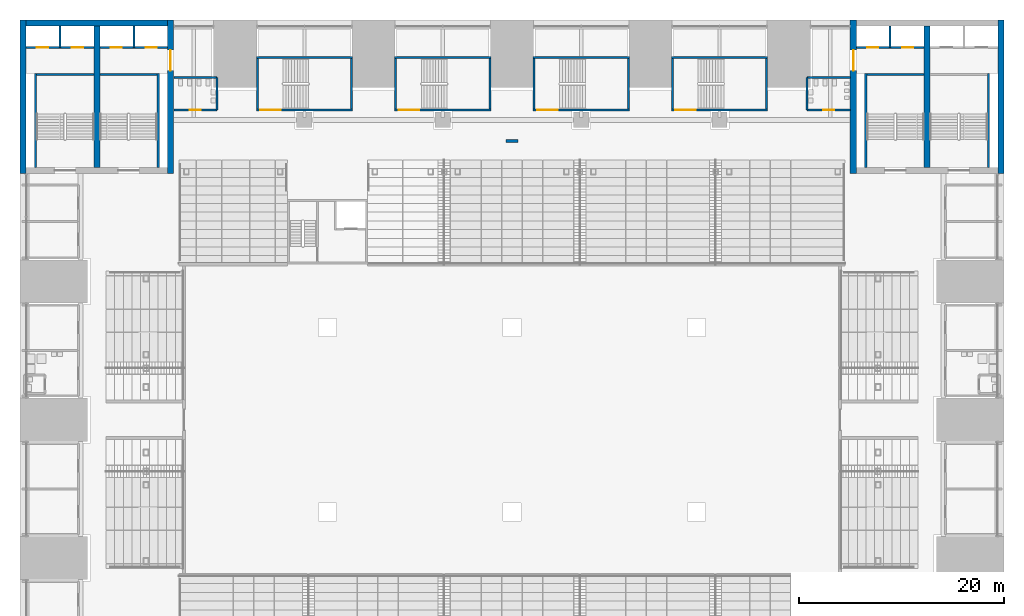
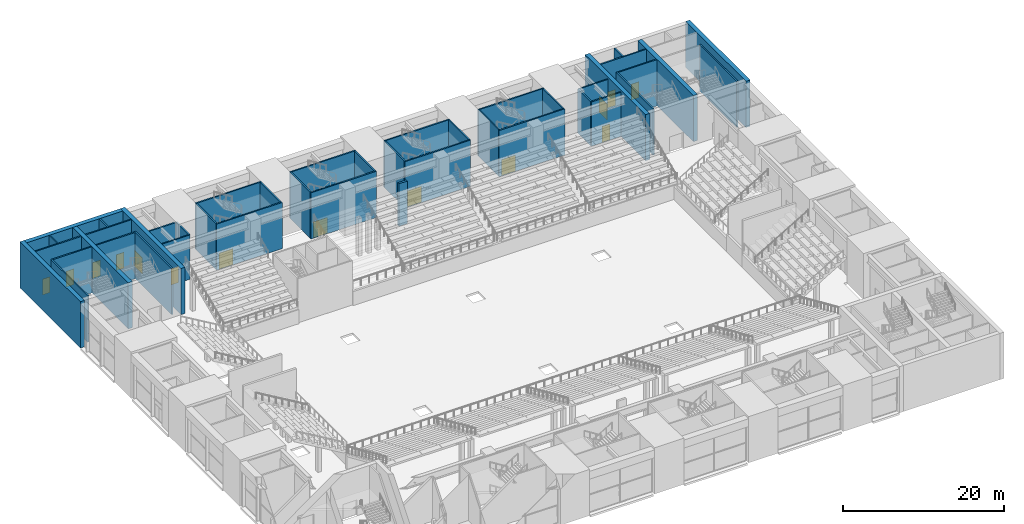
# One storey, part 39 of 62: 43 walls, 14 doors, 14 openings.
"""IFC4 building model written with IfcOpenShell, lengths in metres."""

from ifc_helpers import new_model, si_unit, direction, frame, frame_2d, origin, place, context, subcontext, project, spatial, rectangle, extrude, material, layer, layer_set, type_object, element, fill, save


model = new_model("IFC4")

# Units and contexts
model_context = context("Model", 3, precision=1e-05, world=origin(), true_north=direction((0.0, 1.0)))
body_context = subcontext(model_context, "Body", "Model", "MODEL_VIEW")
ifc_project = project(units=[si_unit("LENGTHUNIT", "METRE"), si_unit("AREAUNIT", "SQUARE_METRE"), si_unit("VOLUMEUNIT", "CUBIC_METRE"), si_unit("PLANEANGLEUNIT", "RADIAN"), si_unit("MASSUNIT", "GRAM", prefix="KILO")], contexts=[model_context])

# Site, building, storey
site_placement = place(None, origin())
site = spatial("IfcSite", under=ifc_project, at=site_placement, CompositionType="ELEMENT")
building_placement = place(site_placement, origin())
building = spatial("IfcBuilding", under=site, at=building_placement, Name="Corbelhall Arena Tower", CompositionType="ELEMENT")
storey_placement = place(building_placement, frame((0.0, 0.0, 12.0)))
storey = spatial("IfcBuildingStorey", under=building, at=storey_placement, Name="L01", CompositionType="ELEMENT", Elevation=12.0)

# Wall, opening, door
ifc_material_1 = material(Name="Gypsum board on steel studs", Category="steel")
ifc_layer_1 = layer(ifc_material_1, 0.199951171875)
ifc_layer_set_1 = layer_set([ifc_layer_1], Name="AR-ROOM-WALL")
wall_type_1 = type_object("IfcWallType", Name="AR-ROOM-WALL", PredefinedType="PARTITIONING", material=ifc_layer_set_1)
wall_1_placement = place(storey_placement, frame((28.800048828125, 30.199951171875, 0.0), z_axis=(0.0, 0.0, 1.0), x_axis=(1.0, 0.0, 0.0)))
wall_1 = element("IfcWall", 1, at=wall_1_placement, inside=storey, type_object=wall_type_1, Name="Men's WC 1 wall", PredefinedType="PARTITIONING", context=body_context, shape_type="SweptSolid", body=[
    extrude(rectangle(XDim=4.199951171875, YDim=0.199951171875, at=frame_2d((2.10009765625, 0.0))), origin(), (0.0, 0.0, 1.0), 6.699951171875),
])
opening_1_placement = place(wall_1_placement, frame((1.550048828125, 0.0, 0.0)))
opening_1 = element("IfcOpeningElement", 2, at=opening_1_placement, cuts=wall_1, Name="Opening DA0359", PredefinedType="OPENING", context=body_context, shape_type="SweptSolid", body=[
    extrude(rectangle(XDim=1.10009765625, YDim=2.39990234375, at=frame_2d((0.550048828125, 1.199951171875))), frame((0.0, 0.10009765625, 0.0), z_axis=(0.0, -1.0, 0.0), x_axis=(1.0, 0.0, 0.0)), (0.0, 0.0, 1.0), 0.199951171875),
])
ifc_material_2 = material(Name="Timber", Category="wood")
door_type_1 = type_object("IfcDoorType", Name="AR-ROOM-DOOR", OperationType="DOUBLE_DOOR_SINGLE_SWING", PredefinedType="DOOR", material=ifc_material_2)
door_1_placement = place(opening_1_placement, origin())
door_1 = element("IfcDoor", 3, at=door_1_placement, inside=storey, type_object=door_type_1, Name="Men's WC 1 door", OperationType="DOUBLE_DOOR_SINGLE_SWING", OverallHeight=2.39990234375, OverallWidth=1.10009765625, PredefinedType="DOOR", context=body_context, shape_type="SweptSolid", body=[
    extrude(rectangle(XDim=1.10009765625, YDim=2.39990234375, at=frame_2d((0.550048828125, 1.199951171875))), frame((0.0, 0.02490234375, 0.0), z_axis=(0.0, -1.0, 0.0), x_axis=(1.0, 0.0, 0.0)), (0.0, 0.0, 1.0), 0.050048828125),
])
fill(opening_1, door_1)

# Walls
wall_2_placement = place(storey_placement, frame((28.800048828125, 30.199951171875, 0.0), z_axis=(0.0, 0.0, 1.0), x_axis=(0.0, 1.0, 0.0)))
element("IfcWall", 4, at=wall_2_placement, inside=storey, type_object=wall_type_1, Name="Men's WC 1 side wall", PredefinedType="PARTITIONING", context=body_context, shape_type="SweptSolid", body=[
    extrude(rectangle(XDim=3.199951171875, YDim=0.199951171875, at=frame_2d((1.60009765625, 0.0))), origin(), (0.0, 0.0, 1.0), 6.699951171875),
])
wall_3_placement = place(storey_placement, frame((28.800048828125, 33.39990234375, 0.0), z_axis=(0.0, 0.0, 1.0), x_axis=(1.0, 0.0, 0.0)))
element("IfcWall", 5, at=wall_3_placement, inside=storey, type_object=wall_type_1, Name="Men's WC 1 far wall", PredefinedType="PARTITIONING", context=body_context, shape_type="SweptSolid", body=[
    extrude(rectangle(XDim=4.199951171875, YDim=0.199951171875, at=frame_2d((2.10009765625, 0.0))), origin(), (0.0, 0.0, 1.0), 6.699951171875),
])

# Wall, opening, door
wall_4_placement = place(storey_placement, frame((-33.0, 30.199951171875, 0.0), z_axis=(0.0, 0.0, 1.0), x_axis=(1.0, 0.0, 0.0)))
wall_4 = element("IfcWall", 6, at=wall_4_placement, inside=storey, type_object=wall_type_1, Name="Women's WC 2 wall", PredefinedType="PARTITIONING", context=body_context, shape_type="SweptSolid", body=[
    extrude(rectangle(XDim=4.199951171875, YDim=0.199951171875, at=frame_2d((2.10009765625, 0.0))), origin(), (0.0, 0.0, 1.0), 6.699951171875),
])
opening_2_placement = place(wall_4_placement, frame((1.550048828125, 0.0, 0.0)))
opening_2 = element("IfcOpeningElement", 7, at=opening_2_placement, cuts=wall_4, Name="Opening DA0360", PredefinedType="OPENING", context=body_context, shape_type="SweptSolid", body=[
    extrude(rectangle(XDim=1.10009765625, YDim=2.39990234375, at=frame_2d((0.550048828125, 1.199951171875))), frame((0.0, 0.10009765625, 0.0), z_axis=(0.0, -1.0, 0.0), x_axis=(1.0, 0.0, 0.0)), (0.0, 0.0, 1.0), 0.199951171875),
])
door_2_placement = place(opening_2_placement, origin())
door_2 = element("IfcDoor", 8, at=door_2_placement, inside=storey, type_object=door_type_1, Name="Women's WC 2 door", OperationType="DOUBLE_DOOR_SINGLE_SWING", OverallHeight=2.39990234375, OverallWidth=1.10009765625, PredefinedType="DOOR", context=body_context, shape_type="SweptSolid", body=[
    extrude(rectangle(XDim=1.10009765625, YDim=2.39990234375, at=frame_2d((0.550048828125, 1.199951171875))), frame((0.0, 0.02490234375, 0.0), z_axis=(0.0, -1.0, 0.0), x_axis=(1.0, 0.0, 0.0)), (0.0, 0.0, 1.0), 0.050048828125),
])
fill(opening_2, door_2)

# Walls
wall_5_placement = place(storey_placement, frame((-28.800048828125, 30.199951171875, 0.0), z_axis=(0.0, 0.0, 1.0), x_axis=(0.0, 1.0, 0.0)))
element("IfcWall", 9, at=wall_5_placement, inside=storey, type_object=wall_type_1, Name="Women's WC 2 side wall", PredefinedType="PARTITIONING", context=body_context, shape_type="SweptSolid", body=[
    extrude(rectangle(XDim=3.199951171875, YDim=0.199951171875, at=frame_2d((1.60009765625, 0.0))), origin(), (0.0, 0.0, 1.0), 6.699951171875),
])
wall_6_placement = place(storey_placement, frame((-33.0, 33.39990234375, 0.0), z_axis=(0.0, 0.0, 1.0), x_axis=(1.0, 0.0, 0.0)))
element("IfcWall", 10, at=wall_6_placement, inside=storey, type_object=wall_type_1, Name="Women's WC 2 far wall", PredefinedType="PARTITIONING", context=body_context, shape_type="SweptSolid", body=[
    extrude(rectangle(XDim=4.199951171875, YDim=0.199951171875, at=frame_2d((2.10009765625, 0.0))), origin(), (0.0, 0.0, 1.0), 6.699951171875),
])

# Wall, openings, doors
ifc_material_3 = material(Name="Reinforced concrete C40/50", Category="concrete")
ifc_layer_2 = layer(ifc_material_3, 0.199951171875)
ifc_layer_set_2 = layer_set([ifc_layer_2], Name="AR-SHAFT-WALL")
wall_type_2 = type_object("IfcWallType", Name="AR-SHAFT-WALL", PredefinedType="SHEAR", material=ifc_layer_set_2)
wall_7_placement = place(storey_placement, frame((33.60009765625, 36.300048828125, 0.0), z_axis=(0.0, 0.0, 1.0), x_axis=(1.0, 0.0, 0.0)))
wall_7 = element("IfcWall", 11, at=wall_7_placement, inside=storey, type_object=wall_type_2, Name="Lift lobby wall NE", PredefinedType="SHEAR", context=body_context, shape_type="SweptSolid", body=[
    extrude(rectangle(XDim=6.599853515625, YDim=0.199951171875, at=frame_2d((3.2998046875, 0.0))), origin(), (0.0, 0.0, 1.0), 7.0),
])
opening_3_placement = place(wall_7_placement, frame((1.050048828125, 0.0, 0.0)))
opening_3 = element("IfcOpeningElement", 12, at=opening_3_placement, cuts=wall_7, Name="Opening LD0122", PredefinedType="OPENING", context=body_context, shape_type="SweptSolid", body=[
    extrude(rectangle(XDim=1.10009765625, YDim=2.39990234375, at=frame_2d((0.550048828125, 1.199951171875))), frame((0.0, 0.10009765625, 0.0), z_axis=(0.0, -1.0, 0.0), x_axis=(1.0, 0.0, 0.0)), (0.0, 0.0, 1.0), 0.199951171875),
])
opening_4_placement = place(wall_7_placement, frame((4.449951171875, 0.0, 0.0)))
opening_4 = element("IfcOpeningElement", 13, at=opening_4_placement, cuts=wall_7, Name="Opening LD0123", PredefinedType="OPENING", context=body_context, shape_type="SweptSolid", body=[
    extrude(rectangle(XDim=1.10009765625, YDim=2.39990234375, at=frame_2d((0.550048828125, 1.199951171875))), frame((0.0, 0.10009765625, 0.0), z_axis=(0.0, -1.0, 0.0), x_axis=(1.0, 0.0, 0.0)), (0.0, 0.0, 1.0), 0.199951171875),
])
ifc_material_4 = material(Name="Stainless steel A4", Category="steel")
door_type_2 = type_object("IfcDoorType", Name="AR-LANDING-DOOR", OperationType="DOUBLE_DOOR_SLIDING", PredefinedType="DOOR", material=ifc_material_4)
door_3_placement = place(opening_3_placement, origin())
door_3 = element("IfcDoor", 14, at=door_3_placement, inside=storey, type_object=door_type_2, Name="Landing door NE LF1 L01", OperationType="DOUBLE_DOOR_SLIDING", OverallHeight=2.39990234375, OverallWidth=1.10009765625, PredefinedType="DOOR", context=body_context, shape_type="SweptSolid", body=[
    extrude(rectangle(XDim=1.10009765625, YDim=2.39990234375, at=frame_2d((0.550048828125, 1.199951171875))), frame((0.0, 0.02490234375, 0.0), z_axis=(0.0, -1.0, 0.0), x_axis=(1.0, 0.0, 0.0)), (0.0, 0.0, 1.0), 0.050048828125),
])
fill(opening_3, door_3)
door_4_placement = place(opening_4_placement, origin())
door_4 = element("IfcDoor", 15, at=door_4_placement, inside=storey, type_object=door_type_2, Name="Landing door NE LF2 L01", OperationType="DOUBLE_DOOR_SLIDING", OverallHeight=2.39990234375, OverallWidth=1.10009765625, PredefinedType="DOOR", context=body_context, shape_type="SweptSolid", body=[
    extrude(rectangle(XDim=1.10009765625, YDim=2.39990234375, at=frame_2d((0.550048828125, 1.199951171875))), frame((0.0, 0.02490234375, 0.0), z_axis=(0.0, -1.0, 0.0), x_axis=(1.0, 0.0, 0.0)), (0.0, 0.0, 1.0), 0.050048828125),
])
fill(opening_4, door_4)

# Wall
wall_8_placement = place(storey_placement, frame((36.89990234375, 36.300048828125, 0.0), z_axis=(0.0, 0.0, 1.0), x_axis=(0.0, 1.0, 0.0)))
element("IfcWall", 16, at=wall_8_placement, inside=storey, type_object=wall_type_2, Name="Shaft wall NE", PredefinedType="SHEAR", context=body_context, shape_type="SweptSolid", body=[
    extrude(rectangle(XDim=2.099853515625, YDim=0.199951171875, at=frame_2d((1.0498046875, 0.0))), origin(), (0.0, 0.0, 1.0), 7.0),
])

# Wall, openings, doors
wall_9_placement = place(storey_placement, frame((-47.39990234375, 36.300048828125, 0.0), z_axis=(0.0, 0.0, 1.0), x_axis=(1.0, 0.0, 0.0)))
wall_9 = element("IfcWall", 17, at=wall_9_placement, inside=storey, type_object=wall_type_2, Name="Lift lobby wall NW", PredefinedType="SHEAR", context=body_context, shape_type="SweptSolid", body=[
    extrude(rectangle(XDim=6.599853515625, YDim=0.199951171875, at=frame_2d((3.2998046875, 0.0))), origin(), (0.0, 0.0, 1.0), 7.0),
])
opening_5_placement = place(wall_9_placement, frame((1.050048828125, 0.0, 0.0)))
opening_5 = element("IfcOpeningElement", 18, at=opening_5_placement, cuts=wall_9, Name="Opening LD0166", PredefinedType="OPENING", context=body_context, shape_type="SweptSolid", body=[
    extrude(rectangle(XDim=1.10009765625, YDim=2.39990234375, at=frame_2d((0.550048828125, 1.199951171875))), frame((0.0, 0.10009765625, 0.0), z_axis=(0.0, -1.0, 0.0), x_axis=(1.0, 0.0, 0.0)), (0.0, 0.0, 1.0), 0.199951171875),
])
opening_6_placement = place(wall_9_placement, frame((4.449951171875, 0.0, 0.0)))
opening_6 = element("IfcOpeningElement", 19, at=opening_6_placement, cuts=wall_9, Name="Opening LD0167", PredefinedType="OPENING", context=body_context, shape_type="SweptSolid", body=[
    extrude(rectangle(XDim=1.10009765625, YDim=2.39990234375, at=frame_2d((0.550048828125, 1.199951171875))), frame((0.0, 0.10009765625, 0.0), z_axis=(0.0, -1.0, 0.0), x_axis=(1.0, 0.0, 0.0)), (0.0, 0.0, 1.0), 0.199951171875),
])
door_5_placement = place(opening_5_placement, origin())
door_5 = element("IfcDoor", 20, at=door_5_placement, inside=storey, type_object=door_type_2, Name="Landing door NW LF3 L01", OperationType="DOUBLE_DOOR_SLIDING", OverallHeight=2.39990234375, OverallWidth=1.10009765625, PredefinedType="DOOR", context=body_context, shape_type="SweptSolid", body=[
    extrude(rectangle(XDim=1.10009765625, YDim=2.39990234375, at=frame_2d((0.550048828125, 1.199951171875))), frame((0.0, 0.02490234375, 0.0), z_axis=(0.0, -1.0, 0.0), x_axis=(1.0, 0.0, 0.0)), (0.0, 0.0, 1.0), 0.050048828125),
])
fill(opening_5, door_5)
door_6_placement = place(opening_6_placement, origin())
door_6 = element("IfcDoor", 21, at=door_6_placement, inside=storey, type_object=door_type_2, Name="Landing door NW LF4 L01", OperationType="DOUBLE_DOOR_SLIDING", OverallHeight=2.39990234375, OverallWidth=1.10009765625, PredefinedType="DOOR", context=body_context, shape_type="SweptSolid", body=[
    extrude(rectangle(XDim=1.10009765625, YDim=2.39990234375, at=frame_2d((0.550048828125, 1.199951171875))), frame((0.0, 0.02490234375, 0.0), z_axis=(0.0, -1.0, 0.0), x_axis=(1.0, 0.0, 0.0)), (0.0, 0.0, 1.0), 0.050048828125),
])
fill(opening_6, door_6)

wall_10_placement = place(storey_placement, frame((-40.199951171875, 36.300048828125, 0.0), z_axis=(0.0, 0.0, 1.0), x_axis=(1.0, 0.0, 0.0)))
wall_10 = element("IfcWall", 22, at=wall_10_placement, inside=storey, type_object=wall_type_2, Name="Lift lobby wall NW", PredefinedType="SHEAR", context=body_context, shape_type="SweptSolid", body=[
    extrude(rectangle(XDim=6.599853515625, YDim=0.199951171875, at=frame_2d((3.2998046875, 0.0))), origin(), (0.0, 0.0, 1.0), 7.0),
])
opening_7_placement = place(wall_10_placement, frame((1.050048828125, 0.0, 0.0)))
opening_7 = element("IfcOpeningElement", 23, at=opening_7_placement, cuts=wall_10, Name="Opening LD0168", PredefinedType="OPENING", context=body_context, shape_type="SweptSolid", body=[
    extrude(rectangle(XDim=1.10009765625, YDim=2.39990234375, at=frame_2d((0.550048828125, 1.199951171875))), frame((0.0, 0.10009765625, 0.0), z_axis=(0.0, -1.0, 0.0), x_axis=(1.0, 0.0, 0.0)), (0.0, 0.0, 1.0), 0.199951171875),
])
opening_8_placement = place(wall_10_placement, frame((4.449951171875, 0.0, 0.0)))
opening_8 = element("IfcOpeningElement", 24, at=opening_8_placement, cuts=wall_10, Name="Opening LD0169", PredefinedType="OPENING", context=body_context, shape_type="SweptSolid", body=[
    extrude(rectangle(XDim=1.10009765625, YDim=2.39990234375, at=frame_2d((0.550048828125, 1.199951171875))), frame((0.0, 0.10009765625, 0.0), z_axis=(0.0, -1.0, 0.0), x_axis=(1.0, 0.0, 0.0)), (0.0, 0.0, 1.0), 0.199951171875),
])
door_7_placement = place(opening_7_placement, origin())
door_7 = element("IfcDoor", 25, at=door_7_placement, inside=storey, type_object=door_type_2, Name="Landing door NW LF1 L01", OperationType="DOUBLE_DOOR_SLIDING", OverallHeight=2.39990234375, OverallWidth=1.10009765625, PredefinedType="DOOR", context=body_context, shape_type="SweptSolid", body=[
    extrude(rectangle(XDim=1.10009765625, YDim=2.39990234375, at=frame_2d((0.550048828125, 1.199951171875))), frame((0.0, 0.02490234375, 0.0), z_axis=(0.0, -1.0, 0.0), x_axis=(1.0, 0.0, 0.0)), (0.0, 0.0, 1.0), 0.050048828125),
])
fill(opening_7, door_7)
door_8_placement = place(opening_8_placement, origin())
door_8 = element("IfcDoor", 26, at=door_8_placement, inside=storey, type_object=door_type_2, Name="Landing door NW LF2 L01", OperationType="DOUBLE_DOOR_SLIDING", OverallHeight=2.39990234375, OverallWidth=1.10009765625, PredefinedType="DOOR", context=body_context, shape_type="SweptSolid", body=[
    extrude(rectangle(XDim=1.10009765625, YDim=2.39990234375, at=frame_2d((0.550048828125, 1.199951171875))), frame((0.0, 0.02490234375, 0.0), z_axis=(0.0, -1.0, 0.0), x_axis=(1.0, 0.0, 0.0)), (0.0, 0.0, 1.0), 0.050048828125),
])
fill(opening_8, door_8)

# Walls
for number, where, z_axis, x_axis, name in (
    (27, (-36.89990234375, 36.300048828125, 0.0), (0.0, 0.0, 1.0), (0.0, 1.0, 0.0), "Shaft wall NW"),
    (28, (-44.10009765625, 36.300048828125, 0.0), (0.0, 0.0, 1.0), (0.0, 1.0, 0.0), "Shaft wall NW"),
):
    element("IfcWall", number, at=place(storey_placement, frame(where, z_axis=z_axis, x_axis=x_axis)), inside=storey, type_object=wall_type_2, Name=name, PredefinedType="SHEAR", context=body_context, shape_type="SweptSolid", body=[
        extrude(rectangle(XDim=2.099853515625, YDim=0.199951171875, at=frame_2d((1.0498046875, 0.0))), origin(), (0.0, 0.0, 1.0), 7.0),
    ])

# Wall, opening, door
ifc_layer_3 = layer(ifc_material_3, 0.199951171875)
ifc_layer_set_3 = layer_set([ifc_layer_3], Name="AR-STAIR-WALL")
wall_type_3 = type_object("IfcWallType", Name="AR-STAIR-WALL", PredefinedType="SOLIDWALL", material=ifc_layer_set_3)
wall_11_placement = place(storey_placement, frame((-24.949951171875, 30.199951171875, 0.0), z_axis=(0.0, 0.0, 1.0), x_axis=(1.0, 0.0, 0.0)))
wall_11 = element("IfcWall", 29, at=wall_11_placement, inside=storey, type_object=wall_type_3, Name="Stair AS9 wall", PredefinedType="SOLIDWALL", context=body_context, shape_type="SweptSolid", body=[
    extrude(rectangle(XDim=9.39990234375, YDim=0.199951171875, at=frame_2d((4.699951171875, 0.0))), origin(), (0.0, 0.0, 1.0), 7.0),
])
opening_9_placement = place(wall_11_placement, frame((0.39990234375, 0.0, 0.0)))
opening_9 = element("IfcOpeningElement", 30, at=opening_9_placement, cuts=wall_11, Name="Opening DA0002", PredefinedType="OPENING", context=body_context, shape_type="SweptSolid", body=[
    extrude(rectangle(XDim=2.0, YDim=2.39990234375, at=frame_2d((1.0, 1.199951171875))), frame((0.0, 0.10009765625, 0.0), z_axis=(0.0, -1.0, 0.0), x_axis=(1.0, 0.0, 0.0)), (0.0, 0.0, 1.0), 0.199951171875),
])
ifc_material_5 = material(Name="Steel and glass", Category="steel")
door_type_3 = type_object("IfcDoorType", Name="AR-STAIR-DOOR", OperationType="DOUBLE_DOOR_SINGLE_SWING", PredefinedType="DOOR", material=ifc_material_5)
door_9_placement = place(opening_9_placement, origin())
door_9 = element("IfcDoor", 31, at=door_9_placement, inside=storey, type_object=door_type_3, Name="Stair AS9 door", OperationType="DOUBLE_DOOR_SINGLE_SWING", OverallHeight=2.39990234375, OverallWidth=2.0, PredefinedType="DOOR", context=body_context, shape_type="SweptSolid", body=[
    extrude(rectangle(XDim=2.0, YDim=2.39990234375, at=frame_2d((1.0, 1.199951171875))), frame((0.0, 0.02490234375, 0.0), z_axis=(0.0, -1.0, 0.0), x_axis=(1.0, 0.0, 0.0)), (0.0, 0.0, 1.0), 0.050048828125),
])
fill(opening_9, door_9)

# Walls
wall_12_placement = place(storey_placement, frame((-24.949951171875, 35.35009765625, 0.0), z_axis=(0.0, 0.0, 1.0), x_axis=(1.0, 0.0, 0.0)))
element("IfcWall", 32, at=wall_12_placement, inside=storey, type_object=wall_type_3, Name="Stair AS9 wall", PredefinedType="SOLIDWALL", context=body_context, shape_type="SweptSolid", body=[
    extrude(rectangle(XDim=9.39990234375, YDim=0.199951171875, at=frame_2d((4.699951171875, 0.0))), origin(), (0.0, 0.0, 1.0), 7.0),
])
for number, where, z_axis, x_axis, name in (
    (33, (-24.85009765625, 30.300048828125, 0.0), (0.0, 0.0, 1.0), (0.0, 1.0, 0.0), "Stair AS9 wall"),
    (34, (-15.64990234375, 30.300048828125, 0.0), (0.0, 0.0, 1.0), (0.0, 1.0, 0.0), "Stair AS9 wall"),
):
    element("IfcWall", number, at=place(storey_placement, frame(where, z_axis=z_axis, x_axis=x_axis)), inside=storey, type_object=wall_type_3, Name=name, PredefinedType="SOLIDWALL", context=body_context, shape_type="SweptSolid", body=[
        extrude(rectangle(XDim=4.949951171875, YDim=0.199951171875, at=frame_2d((2.47509765625, 0.0))), origin(), (0.0, 0.0, 1.0), 7.0),
    ])

# Wall, opening, door
wall_13_placement = place(storey_placement, frame((-11.449951171875, 30.199951171875, 0.0), z_axis=(0.0, 0.0, 1.0), x_axis=(1.0, 0.0, 0.0)))
wall_13 = element("IfcWall", 35, at=wall_13_placement, inside=storey, type_object=wall_type_3, Name="Stair AS10 wall", PredefinedType="SOLIDWALL", context=body_context, shape_type="SweptSolid", body=[
    extrude(rectangle(XDim=9.39990234375, YDim=0.199951171875, at=frame_2d((4.699951171875, 0.0))), origin(), (0.0, 0.0, 1.0), 7.0),
])
opening_10_placement = place(wall_13_placement, frame((0.39990234375, 0.0, 0.0)))
opening_10 = element("IfcOpeningElement", 36, at=opening_10_placement, cuts=wall_13, Name="Opening DA0008", PredefinedType="OPENING", context=body_context, shape_type="SweptSolid", body=[
    extrude(rectangle(XDim=2.0, YDim=2.39990234375, at=frame_2d((1.0, 1.199951171875))), frame((0.0, 0.10009765625, 0.0), z_axis=(0.0, -1.0, 0.0), x_axis=(1.0, 0.0, 0.0)), (0.0, 0.0, 1.0), 0.199951171875),
])
door_10_placement = place(opening_10_placement, origin())
door_10 = element("IfcDoor", 37, at=door_10_placement, inside=storey, type_object=door_type_3, Name="Stair AS10 door", OperationType="DOUBLE_DOOR_SINGLE_SWING", OverallHeight=2.39990234375, OverallWidth=2.0, PredefinedType="DOOR", context=body_context, shape_type="SweptSolid", body=[
    extrude(rectangle(XDim=2.0, YDim=2.39990234375, at=frame_2d((1.0, 1.199951171875))), frame((0.0, 0.02490234375, 0.0), z_axis=(0.0, -1.0, 0.0), x_axis=(1.0, 0.0, 0.0)), (0.0, 0.0, 1.0), 0.050048828125),
])
fill(opening_10, door_10)

# Walls
wall_14_placement = place(storey_placement, frame((-11.449951171875, 35.35009765625, 0.0), z_axis=(0.0, 0.0, 1.0), x_axis=(1.0, 0.0, 0.0)))
element("IfcWall", 38, at=wall_14_placement, inside=storey, type_object=wall_type_3, Name="Stair AS10 wall", PredefinedType="SOLIDWALL", context=body_context, shape_type="SweptSolid", body=[
    extrude(rectangle(XDim=9.39990234375, YDim=0.199951171875, at=frame_2d((4.699951171875, 0.0))), origin(), (0.0, 0.0, 1.0), 7.0),
])
for number, where, z_axis, x_axis, name in (
    (39, (-11.35009765625, 30.300048828125, 0.0), (0.0, 0.0, 1.0), (0.0, 1.0, 0.0), "Stair AS10 wall"),
    (40, (-2.14990234375, 30.300048828125, 0.0), (0.0, 0.0, 1.0), (0.0, 1.0, 0.0), "Stair AS10 wall"),
):
    element("IfcWall", number, at=place(storey_placement, frame(where, z_axis=z_axis, x_axis=x_axis)), inside=storey, type_object=wall_type_3, Name=name, PredefinedType="SOLIDWALL", context=body_context, shape_type="SweptSolid", body=[
        extrude(rectangle(XDim=4.949951171875, YDim=0.199951171875, at=frame_2d((2.47509765625, 0.0))), origin(), (0.0, 0.0, 1.0), 7.0),
    ])

# Wall, opening, door
wall_15_placement = place(storey_placement, frame((2.050048828125, 30.199951171875, 0.0), z_axis=(0.0, 0.0, 1.0), x_axis=(1.0, 0.0, 0.0)))
wall_15 = element("IfcWall", 41, at=wall_15_placement, inside=storey, type_object=wall_type_3, Name="Stair AS11 wall", PredefinedType="SOLIDWALL", context=body_context, shape_type="SweptSolid", body=[
    extrude(rectangle(XDim=9.39990234375, YDim=0.199951171875, at=frame_2d((4.699951171875, 0.0))), origin(), (0.0, 0.0, 1.0), 7.0),
])
opening_11_placement = place(wall_15_placement, frame((0.39990234375, 0.0, 0.0)))
opening_11 = element("IfcOpeningElement", 42, at=opening_11_placement, cuts=wall_15, Name="Opening DA0014", PredefinedType="OPENING", context=body_context, shape_type="SweptSolid", body=[
    extrude(rectangle(XDim=2.0, YDim=2.39990234375, at=frame_2d((1.0, 1.199951171875))), frame((0.0, 0.10009765625, 0.0), z_axis=(0.0, -1.0, 0.0), x_axis=(1.0, 0.0, 0.0)), (0.0, 0.0, 1.0), 0.199951171875),
])
door_11_placement = place(opening_11_placement, origin())
door_11 = element("IfcDoor", 43, at=door_11_placement, inside=storey, type_object=door_type_3, Name="Stair AS11 door", OperationType="DOUBLE_DOOR_SINGLE_SWING", OverallHeight=2.39990234375, OverallWidth=2.0, PredefinedType="DOOR", context=body_context, shape_type="SweptSolid", body=[
    extrude(rectangle(XDim=2.0, YDim=2.39990234375, at=frame_2d((1.0, 1.199951171875))), frame((0.0, 0.02490234375, 0.0), z_axis=(0.0, -1.0, 0.0), x_axis=(1.0, 0.0, 0.0)), (0.0, 0.0, 1.0), 0.050048828125),
])
fill(opening_11, door_11)

# Walls
wall_16_placement = place(storey_placement, frame((2.050048828125, 35.35009765625, 0.0), z_axis=(0.0, 0.0, 1.0), x_axis=(1.0, 0.0, 0.0)))
element("IfcWall", 44, at=wall_16_placement, inside=storey, type_object=wall_type_3, Name="Stair AS11 wall", PredefinedType="SOLIDWALL", context=body_context, shape_type="SweptSolid", body=[
    extrude(rectangle(XDim=9.39990234375, YDim=0.199951171875, at=frame_2d((4.699951171875, 0.0))), origin(), (0.0, 0.0, 1.0), 7.0),
])
for number, where, z_axis, x_axis, name in (
    (45, (2.14990234375, 30.300048828125, 0.0), (0.0, 0.0, 1.0), (0.0, 1.0, 0.0), "Stair AS11 wall"),
    (46, (11.35009765625, 30.300048828125, 0.0), (0.0, 0.0, 1.0), (0.0, 1.0, 0.0), "Stair AS11 wall"),
):
    element("IfcWall", number, at=place(storey_placement, frame(where, z_axis=z_axis, x_axis=x_axis)), inside=storey, type_object=wall_type_3, Name=name, PredefinedType="SOLIDWALL", context=body_context, shape_type="SweptSolid", body=[
        extrude(rectangle(XDim=4.949951171875, YDim=0.199951171875, at=frame_2d((2.47509765625, 0.0))), origin(), (0.0, 0.0, 1.0), 7.0),
    ])

# Wall, opening, door
wall_17_placement = place(storey_placement, frame((15.550048828125, 30.199951171875, 0.0), z_axis=(0.0, 0.0, 1.0), x_axis=(1.0, 0.0, 0.0)))
wall_17 = element("IfcWall", 47, at=wall_17_placement, inside=storey, type_object=wall_type_3, Name="Stair AS12 wall", PredefinedType="SOLIDWALL", context=body_context, shape_type="SweptSolid", body=[
    extrude(rectangle(XDim=9.39990234375, YDim=0.199951171875, at=frame_2d((4.699951171875, 0.0))), origin(), (0.0, 0.0, 1.0), 7.0),
])
opening_12_placement = place(wall_17_placement, frame((0.39990234375, 0.0, 0.0)))
opening_12 = element("IfcOpeningElement", 48, at=opening_12_placement, cuts=wall_17, Name="Opening DA0020", PredefinedType="OPENING", context=body_context, shape_type="SweptSolid", body=[
    extrude(rectangle(XDim=2.0, YDim=2.39990234375, at=frame_2d((1.0, 1.199951171875))), frame((0.0, 0.10009765625, 0.0), z_axis=(0.0, -1.0, 0.0), x_axis=(1.0, 0.0, 0.0)), (0.0, 0.0, 1.0), 0.199951171875),
])
door_12_placement = place(opening_12_placement, origin())
door_12 = element("IfcDoor", 49, at=door_12_placement, inside=storey, type_object=door_type_3, Name="Stair AS12 door", OperationType="DOUBLE_DOOR_SINGLE_SWING", OverallHeight=2.39990234375, OverallWidth=2.0, PredefinedType="DOOR", context=body_context, shape_type="SweptSolid", body=[
    extrude(rectangle(XDim=2.0, YDim=2.39990234375, at=frame_2d((1.0, 1.199951171875))), frame((0.0, 0.02490234375, 0.0), z_axis=(0.0, -1.0, 0.0), x_axis=(1.0, 0.0, 0.0)), (0.0, 0.0, 1.0), 0.050048828125),
])
fill(opening_12, door_12)

# Walls
wall_18_placement = place(storey_placement, frame((15.550048828125, 35.35009765625, 0.0), z_axis=(0.0, 0.0, 1.0), x_axis=(1.0, 0.0, 0.0)))
element("IfcWall", 50, at=wall_18_placement, inside=storey, type_object=wall_type_3, Name="Stair AS12 wall", PredefinedType="SOLIDWALL", context=body_context, shape_type="SweptSolid", body=[
    extrude(rectangle(XDim=9.39990234375, YDim=0.199951171875, at=frame_2d((4.699951171875, 0.0))), origin(), (0.0, 0.0, 1.0), 7.0),
])
for number, where, z_axis, x_axis, name in (
    (51, (15.64990234375, 30.300048828125, 0.0), (0.0, 0.0, 1.0), (0.0, 1.0, 0.0), "Stair AS12 wall"),
    (52, (24.85009765625, 30.300048828125, 0.0), (0.0, 0.0, 1.0), (0.0, 1.0, 0.0), "Stair AS12 wall"),
):
    element("IfcWall", number, at=place(storey_placement, frame(where, z_axis=z_axis, x_axis=x_axis)), inside=storey, type_object=wall_type_3, Name=name, PredefinedType="SOLIDWALL", context=body_context, shape_type="SweptSolid", body=[
        extrude(rectangle(XDim=4.949951171875, YDim=0.199951171875, at=frame_2d((2.47509765625, 0.0))), origin(), (0.0, 0.0, 1.0), 7.0),
    ])
wall_19_placement = place(storey_placement, frame((34.510009765625, 24.60009765625, 0.0), z_axis=(0.0, 0.0, 1.0), x_axis=(0.0, 1.0, 0.0)))
element("IfcWall", 53, at=wall_19_placement, inside=storey, type_object=wall_type_3, Name="Stair AS1 wall", PredefinedType="SOLIDWALL", context=body_context, shape_type="SweptSolid", body=[
    extrude(rectangle(XDim=9.199951171875, YDim=0.199951171875, at=frame_2d((4.60009765625, 0.0))), origin(), (0.0, 0.0, 1.0), 7.0),
])
wall_20_placement = place(storey_placement, frame((34.610107421875, 33.699951171875, 0.0), z_axis=(0.0, 0.0, 1.0), x_axis=(1.0, 0.0, 0.0)))
element("IfcWall", 54, at=wall_20_placement, inside=storey, type_object=wall_type_3, Name="Stair AS1 wall", PredefinedType="SOLIDWALL", context=body_context, shape_type="SweptSolid", body=[
    extrude(rectangle(XDim=5.58984375, YDim=0.199951171875, at=frame_2d((2.794921875, 0.0))), origin(), (0.0, 0.0, 1.0), 7.0),
])
for number, where, z_axis, x_axis, name in (
    (55, (46.489990234375, 24.60009765625, 0.0), (0.0, 0.0, 1.0), (0.0, 1.0, 0.0), "Stair AS2 wall"),
    (56, (-34.510009765625, 24.60009765625, 0.0), (0.0, 0.0, 1.0), (0.0, 1.0, 0.0), "Stair AS3 wall"),
):
    element("IfcWall", number, at=place(storey_placement, frame(where, z_axis=z_axis, x_axis=x_axis)), inside=storey, type_object=wall_type_3, Name=name, PredefinedType="SOLIDWALL", context=body_context, shape_type="SweptSolid", body=[
        extrude(rectangle(XDim=9.199951171875, YDim=0.199951171875, at=frame_2d((4.60009765625, 0.0))), origin(), (0.0, 0.0, 1.0), 7.0),
    ])
wall_21_placement = place(storey_placement, frame((-40.199951171875, 33.699951171875, 0.0), z_axis=(0.0, 0.0, 1.0), x_axis=(1.0, 0.0, 0.0)))
element("IfcWall", 57, at=wall_21_placement, inside=storey, type_object=wall_type_3, Name="Stair AS3 wall", PredefinedType="SOLIDWALL", context=body_context, shape_type="SweptSolid", body=[
    extrude(rectangle(XDim=5.58984375, YDim=0.199951171875, at=frame_2d((2.794921875, 0.0))), origin(), (0.0, 0.0, 1.0), 7.0),
])
wall_22_placement = place(storey_placement, frame((-46.489990234375, 24.60009765625, 0.0), z_axis=(0.0, 0.0, 1.0), x_axis=(0.0, 1.0, 0.0)))
element("IfcWall", 58, at=wall_22_placement, inside=storey, type_object=wall_type_3, Name="Stair AS4 wall", PredefinedType="SOLIDWALL", context=body_context, shape_type="SweptSolid", body=[
    extrude(rectangle(XDim=9.199951171875, YDim=0.199951171875, at=frame_2d((4.60009765625, 0.0))), origin(), (0.0, 0.0, 1.0), 7.0),
])
wall_23_placement = place(storey_placement, frame((-46.389892578125, 33.699951171875, 0.0), z_axis=(0.0, 0.0, 1.0), x_axis=(1.0, 0.0, 0.0)))
element("IfcWall", 59, at=wall_23_placement, inside=storey, type_object=wall_type_3, Name="Stair AS4 wall", PredefinedType="SOLIDWALL", context=body_context, shape_type="SweptSolid", body=[
    extrude(rectangle(XDim=5.58984375, YDim=0.199951171875, at=frame_2d((2.794921875, 0.0))), origin(), (0.0, 0.0, 1.0), 7.0),
])
ifc_material_6 = material(Name="Concrete C80/95", Category="concrete")
ifc_layer_4 = layer(ifc_material_6, 0.300048828125)
ifc_layer_set_4 = layer_set([ifc_layer_4], Name="PO-BAND-WALL")
wall_type_4 = type_object("IfcWallType", Name="PO-BAND-WALL", PredefinedType="SHEAR", material=ifc_layer_set_4)
wall_24_placement = place(storey_placement, frame((-0.60009765625, 27.175048828125, 0.0), z_axis=(0.0, 0.0, 1.0), x_axis=(1.0, 0.0, 0.0)))
element("IfcWall", 60, at=wall_24_placement, inside=storey, type_object=wall_type_4, Name="BAND WALL L02 2", PredefinedType="SHEAR", context=body_context, shape_type="SweptSolid", body=[
    extrude(rectangle(XDim=1.2001953125, YDim=0.300048828125, at=frame_2d((0.60009765625, 0.0))), origin(), (0.0, 0.0, 1.0), 6.449951171875),
])

# Wall, opening, door
ifc_layer_5 = layer(ifc_material_6, 0.60009765625)
ifc_layer_set_5 = layer_set([ifc_layer_5], Name="PO-CORE-WALL")
wall_type_5 = type_object("IfcWallType", Name="PO-CORE-WALL", PredefinedType="SHEAR", material=ifc_layer_set_5)
wall_25_placement = place(storey_placement, frame((33.300048828125, 24.0, 0.0), z_axis=(0.0, 0.0, 1.0), x_axis=(0.0, 1.0, 0.0)))
wall_25 = element("IfcWall", 61, at=wall_25_placement, inside=storey, type_object=wall_type_5, Name="CORE NE WALL W L01", PredefinedType="SHEAR", context=body_context, shape_type="SweptSolid", body=[
    extrude(rectangle(XDim=15.0, YDim=0.60009765625, at=frame_2d((7.5, 0.0))), origin(), (0.0, 0.0, 1.0), 7.0),
])
opening_13_placement = place(wall_25_placement, frame((10.050048828125, 0.0, 0.0)))
opening_13 = element("IfcOpeningElement", 62, at=opening_13_placement, cuts=wall_25, Name="Opening DA0126", PredefinedType="OPENING", context=body_context, shape_type="SweptSolid", body=[
    extrude(rectangle(XDim=2.0, YDim=2.39990234375, at=frame_2d((1.0, 1.199951171875))), frame((0.0, 0.300048828125, 0.0), z_axis=(0.0, -1.0, 0.0), x_axis=(1.0, 0.0, 0.0)), (0.0, 0.0, 1.0), 0.60009765625),
])
door_type_4 = type_object("IfcDoorType", Name="AR-CORE-DOOR", OperationType="DOUBLE_DOOR_SINGLE_SWING", PredefinedType="DOOR", material=ifc_material_5)
door_13_placement = place(opening_13_placement, origin())
door_13 = element("IfcDoor", 63, at=door_13_placement, inside=storey, type_object=door_type_4, Name="Core lobby door NE L01", OperationType="DOUBLE_DOOR_SINGLE_SWING", OverallHeight=2.39990234375, OverallWidth=2.0, PredefinedType="DOOR", context=body_context, shape_type="SweptSolid", body=[
    extrude(rectangle(XDim=2.0, YDim=2.39990234375, at=frame_2d((1.0, 1.199951171875))), frame((0.0, 0.02490234375, 0.0), z_axis=(0.0, -1.0, 0.0), x_axis=(1.0, 0.0, 0.0)), (0.0, 0.0, 1.0), 0.050048828125),
])
fill(opening_13, door_13)

# Walls
wall_26_placement = place(storey_placement, frame((47.699951171875, 24.0, 0.0), z_axis=(0.0, 0.0, 1.0), x_axis=(0.0, 1.0, 0.0)))
element("IfcWall", 64, at=wall_26_placement, inside=storey, type_object=wall_type_5, Name="CORE NE WALL E L01", PredefinedType="SHEAR", context=body_context, shape_type="SweptSolid", body=[
    extrude(rectangle(XDim=15.0, YDim=0.60009765625, at=frame_2d((7.5, 0.0))), origin(), (0.0, 0.0, 1.0), 7.0),
])
for number, where, z_axis, x_axis, name in (
    (65, (40.5, 24.60009765625, 0.0), (0.0, 0.0, 1.0), (0.0, 1.0, 0.0), "CORE NE WALL D L01"),
    (66, (-47.39990234375, 38.699951171875, 0.0), (0.0, 0.0, 1.0), (1.0, 0.0, 0.0), "CORE NW WALL N L01"),
):
    element("IfcWall", number, at=place(storey_placement, frame(where, z_axis=z_axis, x_axis=x_axis)), inside=storey, type_object=wall_type_5, Name=name, PredefinedType="SHEAR", context=body_context, shape_type="SweptSolid", body=[
        extrude(rectangle(XDim=13.7998046875, YDim=0.60009765625, at=frame_2d((6.89990234375, 0.0))), origin(), (0.0, 0.0, 1.0), 7.0),
    ])
wall_27_placement = place(storey_placement, frame((-47.699951171875, 24.0, 0.0), z_axis=(0.0, 0.0, 1.0), x_axis=(0.0, 1.0, 0.0)))
element("IfcWall", 67, at=wall_27_placement, inside=storey, type_object=wall_type_5, Name="CORE NW WALL W L01", PredefinedType="SHEAR", context=body_context, shape_type="SweptSolid", body=[
    extrude(rectangle(XDim=15.0, YDim=0.60009765625, at=frame_2d((7.5, 0.0))), origin(), (0.0, 0.0, 1.0), 7.0),
])

# Wall, opening, door
wall_28_placement = place(storey_placement, frame((-33.300048828125, 24.0, 0.0), z_axis=(0.0, 0.0, 1.0), x_axis=(0.0, 1.0, 0.0)))
wall_28 = element("IfcWall", 68, at=wall_28_placement, inside=storey, type_object=wall_type_5, Name="CORE NW WALL E L01", PredefinedType="SHEAR", context=body_context, shape_type="SweptSolid", body=[
    extrude(rectangle(XDim=15.0, YDim=0.60009765625, at=frame_2d((7.5, 0.0))), origin(), (0.0, 0.0, 1.0), 7.0),
])
opening_14_placement = place(wall_28_placement, frame((10.050048828125, 0.0, 0.0)))
opening_14 = element("IfcOpeningElement", 69, at=opening_14_placement, cuts=wall_28, Name="Opening DA0170", PredefinedType="OPENING", context=body_context, shape_type="SweptSolid", body=[
    extrude(rectangle(XDim=2.0, YDim=2.39990234375, at=frame_2d((1.0, 1.199951171875))), frame((0.0, 0.300048828125, 0.0), z_axis=(0.0, -1.0, 0.0), x_axis=(1.0, 0.0, 0.0)), (0.0, 0.0, 1.0), 0.60009765625),
])
door_14_placement = place(opening_14_placement, origin())
door_14 = element("IfcDoor", 70, at=door_14_placement, inside=storey, type_object=door_type_4, Name="Core lobby door NW L01", OperationType="DOUBLE_DOOR_SINGLE_SWING", OverallHeight=2.39990234375, OverallWidth=2.0, PredefinedType="DOOR", context=body_context, shape_type="SweptSolid", body=[
    extrude(rectangle(XDim=2.0, YDim=2.39990234375, at=frame_2d((1.0, 1.199951171875))), frame((0.0, 0.02490234375, 0.0), z_axis=(0.0, -1.0, 0.0), x_axis=(1.0, 0.0, 0.0)), (0.0, 0.0, 1.0), 0.050048828125),
])
fill(opening_14, door_14)

# Wall
wall_29_placement = place(storey_placement, frame((-40.5, 24.60009765625, 0.0), z_axis=(0.0, 0.0, 1.0), x_axis=(0.0, 1.0, 0.0)))
element("IfcWall", 71, at=wall_29_placement, inside=storey, type_object=wall_type_5, Name="CORE NW WALL D L01", PredefinedType="SHEAR", context=body_context, shape_type="SweptSolid", body=[
    extrude(rectangle(XDim=13.7998046875, YDim=0.60009765625, at=frame_2d((6.89990234375, 0.0))), origin(), (0.0, 0.0, 1.0), 7.0),
])

save(model, "model.ifc")
